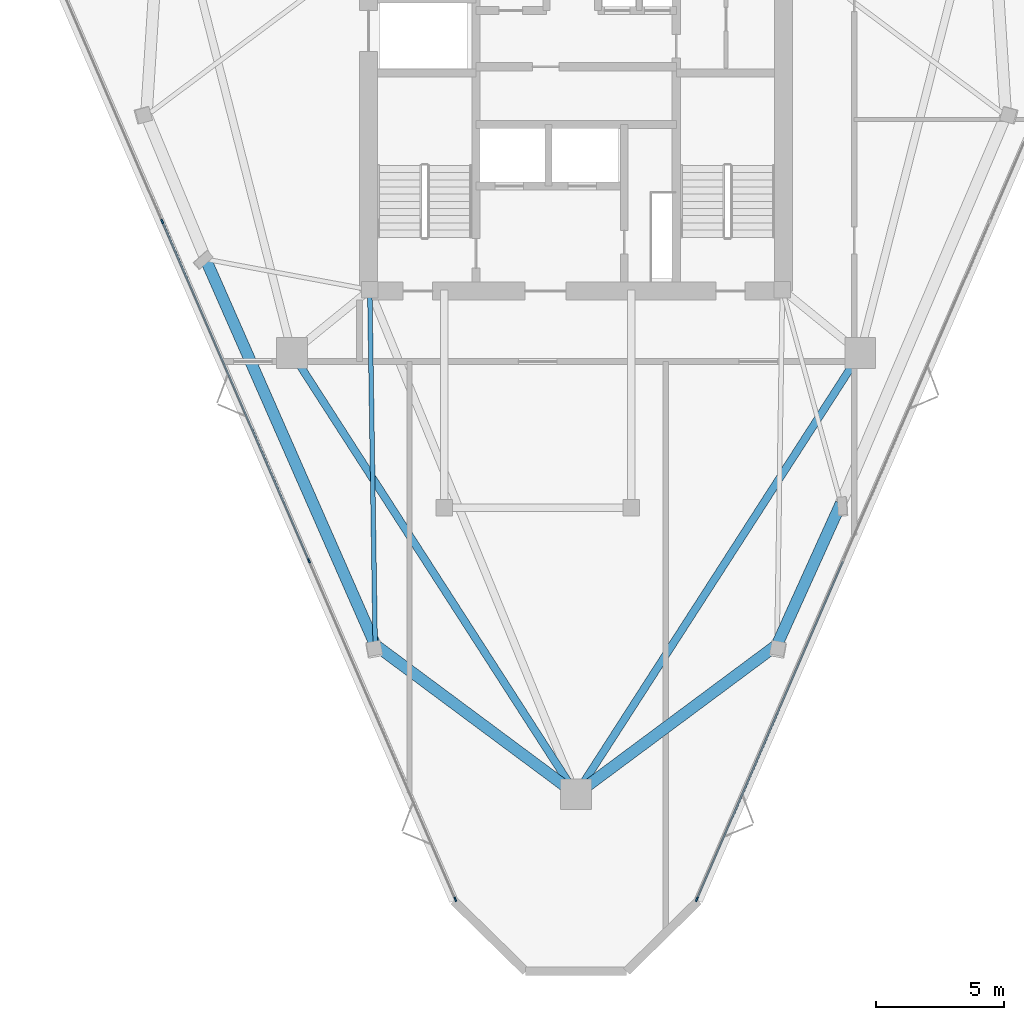
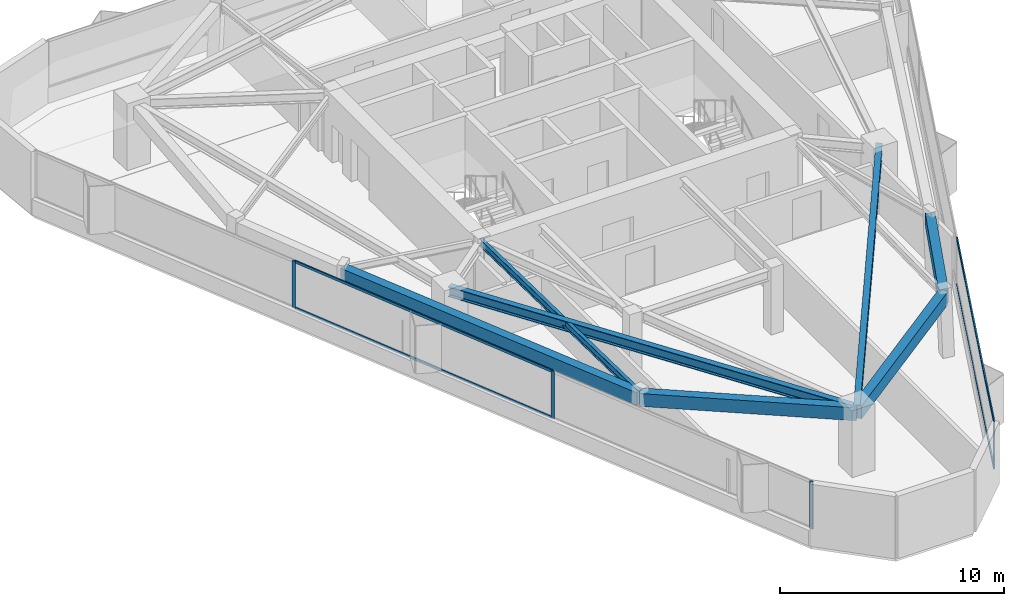
# One storey, part 2 of 12: 8 members, 7 beams, 2 elements without a shape of their own.
"""IFC4 building model written with IfcOpenShell, lengths in metres."""

import ifcopenshell
import ifcopenshell.guid

model = None  # the IFC model being written
_history = None  # IfcOwnerHistory: only IFC2X3 demands one
_inside = {}  # id of a spatial element -> (the spatial element, [elements in it])
_under = {}  # id of a project, library or spatial element -> (it, [spatial elements below it])
_declared = {}  # id of a project -> (the project, [libraries it declares])
_typed = {}  # id of a type object -> (the type object, [elements of that type])
_made_of = {}  # id of a material, layer set ... -> (it, [elements and type objects made of it])


def new_model(schema):
    """Start an empty IFC model of exactly this schema.

    Asked for "IFC4X3", IfcOpenShell would pick the latest addendum, in which some entities
    have other attributes; the version numbers below select the first issue.
    IFC2X3 requires an IfcOwnerHistory on every rooted entity: one is made here for all.
    """
    global model, _history
    if schema == "IFC4X3":
        model = ifcopenshell.file(schema_version=(4, 3, 0, 0))
    else:
        model = ifcopenshell.file(schema=schema)
    _inside.clear()
    _under.clear()
    _declared.clear()
    _typed.clear()
    _made_of.clear()
    _history = None
    if model.schema == "IFC2X3":
        org = make("IfcOrganization", Name="unknown")
        user = make(
            "IfcPersonAndOrganization",
            ThePerson=make("IfcPerson", FamilyName="unknown"),
            TheOrganization=org,
        )
        app = make(
            "IfcApplication",
            ApplicationDeveloper=org,
            Version="unknown",
            ApplicationFullName="unknown",
            ApplicationIdentifier="unknown",
        )
        _history = make(
            "IfcOwnerHistory",
            OwningUser=user,
            OwningApplication=app,
            ChangeAction="ADDED",
            CreationDate=0,
        )
    return model


def make(cls, **values):
    """One entity of the class cls with the attributes given. An attribute that is None is left unset."""
    return model.create_entity(
        cls, **{name: value for name, value in values.items() if value is not None}
    )


def rooted(cls, **values):
    """An entity with a GlobalId (a new one), such as an element, a storey or a relation."""
    return make(cls, GlobalId=ifcopenshell.guid.new(), OwnerHistory=_history, **values)


def si_unit(unit_type, name, prefix=None):
    """IfcSIUnit, for example si_unit("LENGTHUNIT", "METRE", prefix="MILLI")."""
    return make("IfcSIUnit", UnitType=unit_type, Prefix=prefix, Name=name)


def assignment(units):
    """IfcUnitAssignment: the units of a project."""
    return None if units is None else make("IfcUnitAssignment", Units=units)


def point(xyz):
    """IfcCartesianPoint."""
    return None if xyz is None else make("IfcCartesianPoint", Coordinates=xyz)


def direction(xyz):
    """IfcDirection."""
    return None if xyz is None else make("IfcDirection", DirectionRatios=xyz)


def frame(location, z_axis=None, x_axis=None):
    """IfcAxis2Placement3D, a coordinate frame: its origin and axes. An axis left out is left unset."""
    return make(
        "IfcAxis2Placement3D",
        Location=point(location),
        Axis=direction(z_axis),
        RefDirection=direction(x_axis),
    )


def frame_2d(location, x_axis=None):
    """IfcAxis2Placement2D, a coordinate frame in the plane: its origin and x axis."""
    return make(
        "IfcAxis2Placement2D", Location=point(location), RefDirection=direction(x_axis)
    )


def origin():
    """The frame at (0, 0, 0) with its axes left unset."""
    return frame((0.0, 0.0, 0.0))


def origin_2d():
    """The frame at (0, 0) in the plane with its x axis left unset."""
    return frame_2d((0.0, 0.0))


def place(relative_to, where):
    """IfcLocalPlacement: puts the frame where relative to a parent placement (None: the world)."""
    return make(
        "IfcLocalPlacement", PlacementRelTo=relative_to, RelativePlacement=where
    )


def context(
    kind, dimensions, precision=None, world=None, true_north=None, identifier=None
):
    """IfcGeometricRepresentationContext, for example the 3D "Model" context."""
    return make(
        "IfcGeometricRepresentationContext",
        ContextIdentifier=identifier,
        ContextType=kind,
        CoordinateSpaceDimension=dimensions,
        Precision=precision,
        WorldCoordinateSystem=world,
        TrueNorth=true_north,
    )


def subcontext(parent, identifier, kind, view, scale=None):
    """IfcGeometricRepresentationSubContext, for example "Body" below "Model"."""
    return make(
        "IfcGeometricRepresentationSubContext",
        ContextIdentifier=identifier,
        ContextType=kind,
        ParentContext=parent,
        TargetScale=scale,
        TargetView=view,
    )


def project(units=None, contexts=None):
    """IfcProject with its units and contexts."""
    return rooted(
        "IfcProject",
        Name="project",
        RepresentationContexts=contexts,
        UnitsInContext=assignment(units),
    )


def spatial(cls, under=None, at=None, **own):
    """A site, building, storey or space (cls), placed at a placement, below another one or the project."""
    s = rooted(cls, ObjectPlacement=at, **own)
    if under is not None:
        _under.setdefault(under.id(), (under, []))[1].append(s)
    return s


def profile(cls, at=None, kind="AREA", **sizes):
    """A parametric profile (cls). Its sizes go by their IFC names, for example OverallWidth=200.0."""
    return make(cls, ProfileType=kind, Position=at, **sizes)


def rectangle(**sizes):
    """IfcRectangleProfileDef."""
    return profile("IfcRectangleProfileDef", **sizes)


def i_section(**sizes):
    """IfcIShapeProfileDef."""
    return profile("IfcIShapeProfileDef", **sizes)


def extrude(swept, where, along, depth):
    """IfcExtrudedAreaSolid: the profile swept, set in the frame where, extruded along a direction by depth."""
    return make(
        "IfcExtrudedAreaSolid",
        SweptArea=swept,
        Position=where,
        ExtrudedDirection=direction(along),
        Depth=depth,
    )


def shape(context_of_items, identifier, shape_type, items):
    """IfcShapeRepresentation: the items that make up one representation, for example the "Body"."""
    return make(
        "IfcShapeRepresentation",
        ContextOfItems=context_of_items,
        RepresentationIdentifier=identifier,
        RepresentationType=shape_type,
        Items=items,
    )


def material(Name=None, Category=None):
    """IfcMaterial."""
    return make("IfcMaterial", Name=Name, Category=Category)


def layer(
    of_material, thickness, ventilated=None, Name=None, Category=None, Priority=None
):
    """IfcMaterialLayer: one layer of a wall or slab, of a material (None: an air gap)."""
    return make(
        "IfcMaterialLayer",
        Material=of_material,
        LayerThickness=thickness,
        IsVentilated=ventilated,
        Name=Name,
        Category=Category,
        Priority=Priority,
    )


def layer_set(layers, Name=None):
    """IfcMaterialLayerSet."""
    return make("IfcMaterialLayerSet", MaterialLayers=layers, LayerSetName=Name)


def material_profile(
    of_material, cross_section, Name=None, Category=None, Priority=None
):
    """IfcMaterialProfile: a cross section and its material."""
    return make(
        "IfcMaterialProfile",
        Name=Name,
        Material=of_material,
        Profile=cross_section,
        Priority=Priority,
        Category=Category,
    )


def profile_set(profiles, Name=None, composite=None):
    """IfcMaterialProfileSet."""
    return make(
        "IfcMaterialProfileSet",
        Name=Name,
        MaterialProfiles=profiles,
        CompositeProfile=composite,
    )


def made_of(thing, what):
    """Note that an element or type object is made of a material, layer set ...; save() writes the relation."""
    if what is not None:
        _made_of.setdefault(what.id(), (what, []))[1].append(thing)
    return thing


def type_object(cls, material=None, **own):
    """A type object (cls), such as IfcWallType, which elements share."""
    return made_of(rooted(cls, **own), material)


def element(
    cls,
    number,
    at=None,
    inside=None,
    cuts=None,
    type_object=None,
    material=None,
    context=None,
    identifier="Body",
    shape_type=None,
    held_by="IfcProductDefinitionShape",
    body=None,
    shapes=None,
    **own,
):
    """One element of the class cls, such as IfcWall. Its Tag is "e" and its number.

    at: its placement. inside: the storey or other place that contains it. cuts: it is an
    opening in that element (IfcRelVoidsElement). A single representation is given by context,
    identifier, shape_type and body (its items); several are given by shapes. held_by: the class
    of the entity that holds the representations. save() writes the other relations.
    """
    e = rooted(cls, Tag="e%d" % number, ObjectPlacement=at, **own)
    if body is not None:
        shapes = [shape(context, identifier, shape_type, body)]
    if shapes is not None:
        e.Representation = make(held_by, Representations=shapes)
    if inside is not None:
        _inside.setdefault(inside.id(), (inside, []))[1].append(e)
    if cuts is not None:
        rooted(
            "IfcRelVoidsElement", RelatingBuildingElement=cuts, RelatedOpeningElement=e
        )
    if type_object is not None:
        _typed.setdefault(type_object.id(), (type_object, []))[1].append(e)
    return made_of(e, material)


def aggregate(whole, parts):
    """IfcRelAggregates: a whole, such as a stair, and the parts it consists of."""
    return rooted("IfcRelAggregates", RelatingObject=whole, RelatedObjects=parts)


def save(model, path):
    """Write the relations noted so far, then the file.

    IfcRelAggregates (storeys below a building ...), IfcRelContainedInSpatialStructure (elements
    in a storey), IfcRelDefinesByType, IfcRelAssociatesMaterial and IfcRelDeclares: one each for
    every whole, place, type object, material and project.
    """
    for whole, parts in _under.values():
        aggregate(whole, parts)
    for where, things in _inside.values():
        rooted(
            "IfcRelContainedInSpatialStructure",
            RelatedElements=things,
            RelatingStructure=where,
        )
    for kind, things in _typed.values():
        rooted("IfcRelDefinesByType", RelatedObjects=things, RelatingType=kind)
    for what, things in _made_of.values():
        rooted("IfcRelAssociatesMaterial", RelatedObjects=things, RelatingMaterial=what)
    for by, libraries in _declared.values():
        rooted("IfcRelDeclares", RelatingContext=by, RelatedDefinitions=libraries)
    model.write(path)


model = new_model("IFC4")

# Units and contexts
model_context = context("Model", 3, precision=1e-05, world=origin(), true_north=direction((0.0, 1.0)))
body_context = subcontext(model_context, "Body", "Model", "MODEL_VIEW")
ifc_project = project(units=[si_unit("LENGTHUNIT", "METRE"), si_unit("AREAUNIT", "SQUARE_METRE"), si_unit("VOLUMEUNIT", "CUBIC_METRE"), si_unit("PLANEANGLEUNIT", "RADIAN"), si_unit("MASSUNIT", "GRAM", prefix="KILO")], contexts=[model_context])

# Site, building, storey
site_placement = place(None, origin())
site = spatial("IfcSite", under=ifc_project, at=site_placement, CompositionType="ELEMENT")
building_placement = place(site_placement, origin())
building = spatial("IfcBuilding", under=site, at=building_placement, Name="Talyreon Biosciences Tower", CompositionType="ELEMENT")
storey_placement = place(building_placement, frame((0.0, 0.0, 268.10009765625)))
storey = spatial("IfcBuildingStorey", under=building, at=storey_placement, Name="L71", CompositionType="ELEMENT", Elevation=268.10009765625)

# Curtain wall, members
ifc_material_1 = material(Name="Thermally broken aluminium and low-E glazing", Category="aluminium")
ifc_layer = layer(ifc_material_1, 0.175048828125)
ifc_layer_set = layer_set([ifc_layer], Name="Thermally broken aluminium and low-E glazing")
curtain_wall_type = type_object("IfcCurtainWallType", Name="CurtainWall_Zone5CompLab", PredefinedType="NOTDEFINED", material=ifc_layer_set)
curtain_wall_1_placement = place(storey_placement, origin())
curtain_wall_1 = element("IfcCurtainWall", 1, at=curtain_wall_1_placement, inside=storey, type_object=curtain_wall_type, Name="L71 Unitised Curtain Wall FCW-L71-00", PredefinedType="NOTDEFINED")
ifc_material_2 = material(Name="Anodised thermally broken aluminium", Category="aluminium")
ifc_material_profile_1 = material_profile(ifc_material_2, rectangle(XDim=0.06494140625, YDim=0.179931640625, at=origin_2d()), Name="ALUM MULLION 65x180")
ifc_profile_set_1 = profile_set([ifc_material_profile_1], Name="Anodised thermally broken aluminium")
member_type_1 = type_object("IfcMemberType", Name="CWMullion_65x180", PredefinedType="MULLION", material=ifc_profile_set_1)
member_1_placement = place(storey_placement, frame((61.28759765625, 37.566162109375, 0.809814453125), z_axis=(0.0, 0.0, 1.0), x_axis=(-0.917867616895, -0.396886681377, 0.0)))
member_1 = element("IfcMember", 2, at=member_1_placement, type_object=member_type_1, Name="CW6 mullion 1", PredefinedType="MULLION", context=body_context, shape_type="SweptSolid", body=[
    extrude(rectangle(XDim=0.06494140625, YDim=0.179931640625, at=origin_2d()), origin(), (0.0, 0.0, 1.0), 2.590087890625),
])
member_2_placement = place(storey_placement, frame((55.576171875, 50.77490234375, 0.809814453125), z_axis=(0.0, 0.0, 1.0), x_axis=(-0.917867616895, -0.396886681377, 0.0)))
member_2 = element("IfcMember", 3, at=member_2_placement, type_object=member_type_1, Name="CW6 mullion 2", PredefinedType="MULLION", context=body_context, shape_type="SweptSolid", body=[
    extrude(rectangle(XDim=0.06494140625, YDim=0.179931640625, at=origin_2d()), origin(), (0.0, 0.0, 1.0), 2.590087890625),
])
member_3_placement = place(storey_placement, frame((49.851806640625, 64.013427734375, 0.809814453125), z_axis=(0.0, 0.0, 1.0), x_axis=(-0.917867616895, -0.396886681377, 0.0)))
member_3 = element("IfcMember", 4, at=member_3_placement, type_object=member_type_1, Name="CW6 mullion 3", PredefinedType="MULLION", context=body_context, shape_type="SweptSolid", body=[
    extrude(rectangle(XDim=0.06494140625, YDim=0.179931640625, at=origin_2d()), origin(), (0.0, 0.0, 1.0), 2.590087890625),
])

# Curtain wall, member
curtain_wall_2_placement = place(storey_placement, origin())
curtain_wall_2 = element("IfcCurtainWall", 5, at=curtain_wall_2_placement, inside=storey, type_object=curtain_wall_type, Name="L71 Unitised Curtain Wall FCW-L71-08", PredefinedType="NOTDEFINED")
member_4_placement = place(storey_placement, frame((70.71240234375, 37.566162109375, 0.809814453125), z_axis=(0.0, 0.0, 1.0), x_axis=(0.917867616895, -0.396886681377, 0.0)))
member_4 = element("IfcMember", 6, at=member_4_placement, type_object=member_type_1, Name="CW6 mullion 4", PredefinedType="MULLION", context=body_context, shape_type="SweptSolid", body=[
    extrude(rectangle(XDim=0.06494140625, YDim=0.179931640625, at=origin_2d()), origin(), (0.0, 0.0, 1.0), 2.590087890625),
])

# Member
ifc_material_profile_2 = material_profile(ifc_material_2, rectangle(XDim=0.06494140625, YDim=0.139892578125, at=origin_2d()), Name="ALUM TRANSOM 65x140")
ifc_profile_set_2 = profile_set([ifc_material_profile_2], Name="Anodised thermally broken aluminium")
member_type_2 = type_object("IfcMemberType", Name="CWTransom_65x140", PredefinedType="USERDEFINED", material=ifc_profile_set_2)
member_5_placement = place(storey_placement, frame((55.563232421875, 50.8046875, 0.84228515625), z_axis=(-0.396880564948, 0.91787026162, 0.0), x_axis=(-0.91787026162, -0.396880564948, 0.0)))
member_5 = element("IfcMember", 7, at=member_5_placement, type_object=member_type_2, Name="CW6 transom 2.1", ObjectType="TRANSOM", PredefinedType="USERDEFINED", context=body_context, shape_type="SweptSolid", body=[
    extrude(rectangle(XDim=0.06494140625, YDim=0.139892578125, at=origin_2d()), origin(), (0.0, 0.0, 1.0), 14.358154296875),
])

member_6_placement = place(storey_placement, frame((55.563232421875, 50.8046875, 3.367431640625), z_axis=(-0.396880564948, 0.91787026162, 0.0), x_axis=(-0.91787026162, -0.396880564948, 0.0)))
member_6 = element("IfcMember", 8, at=member_6_placement, type_object=member_type_2, Name="CW6 transom 2.2", ObjectType="TRANSOM", PredefinedType="USERDEFINED", context=body_context, shape_type="SweptSolid", body=[
    extrude(rectangle(XDim=0.06494140625, YDim=0.139892578125, at=origin_2d()), origin(), (0.0, 0.0, 1.0), 14.358154296875),
])

aggregate(curtain_wall_1, [member_1, member_2, member_3, member_5, member_6])

member_7_placement = place(storey_placement, frame((76.410888671875, 50.7451171875, 0.84228515625), z_axis=(-0.396877003236, -0.917871801671, 0.0), x_axis=(0.917871801671, -0.396877003236, 0.0)))
member_7 = element("IfcMember", 9, at=member_7_placement, type_object=member_type_2, Name="CW6 transom 3.1", ObjectType="TRANSOM", PredefinedType="USERDEFINED", context=body_context, shape_type="SweptSolid", body=[
    extrude(rectangle(XDim=0.06494140625, YDim=0.139892578125, at=origin_2d()), origin(), (0.0, 0.0, 1.0), 14.32568359375),
])

member_8_placement = place(storey_placement, frame((76.410888671875, 50.7451171875, 3.367431640625), z_axis=(-0.396877003236, -0.917871801671, 0.0), x_axis=(0.917871801671, -0.396877003236, 0.0)))
member_8 = element("IfcMember", 10, at=member_8_placement, type_object=member_type_2, Name="CW6 transom 3.2", ObjectType="TRANSOM", PredefinedType="USERDEFINED", context=body_context, shape_type="SweptSolid", body=[
    extrude(rectangle(XDim=0.06494140625, YDim=0.139892578125, at=origin_2d()), origin(), (0.0, 0.0, 1.0), 14.32568359375),
])

aggregate(curtain_wall_2, [member_4, member_7, member_8])

# Beams
ifc_material_3 = material(Name="Precast concrete C45/55", Category="concrete")
ifc_material_profile_3 = material_profile(ifc_material_3, rectangle(XDim=0.449951171875, YDim=0.699951171875, at=origin_2d()), Name="RCB 450x700")
ifc_profile_set_3 = profile_set([ifc_material_profile_3], Name="Precast concrete C45/55")
beam_type_1 = type_object("IfcBeamType", Name="ExpressedSpandrel_450x700", PredefinedType="SPANDREL", material=ifc_profile_set_3)
beam_1_placement = place(storey_placement, frame((66.0, 41.6669921875, 3.0498046875), z_axis=(0.802608098357, 0.596506697742, 0.0), x_axis=(-0.596506697742, 0.802608098357, 0.0)))
element("IfcBeam", 11, at=beam_1_placement, inside=storey, type_object=beam_type_1, Name="L71 Expressed Horizontal Concrete Spandrel 01", PredefinedType="SPANDREL", context=body_context, shape_type="SweptSolid", body=[
    extrude(rectangle(XDim=0.449951171875, YDim=0.699951171875, at=origin_2d()), origin(), (0.0, 0.0, 1.0), 9.766845703125),
])
beam_2_placement = place(storey_placement, frame((73.8388671875, 47.492919921875, 3.0498046875), z_axis=(0.412007770995, 0.91118033157, 0.0), x_axis=(-0.91118033157, 0.412007770995, 0.0)))
element("IfcBeam", 12, at=beam_2_placement, inside=storey, type_object=beam_type_1, Name="L71 Expressed Horizontal Concrete Spandrel 02", PredefinedType="SPANDREL", context=body_context, shape_type="SweptSolid", body=[
    extrude(rectangle(XDim=0.449951171875, YDim=0.699951171875, at=origin_2d()), origin(), (0.0, 0.0, 1.0), 6.058349609375),
])
beam_3_placement = place(storey_placement, frame((51.54345703125, 62.545166015625, 3.0498046875), z_axis=(0.402467910585, -0.915434094268, 0.0), x_axis=(0.915434094268, 0.402467910585, 0.0)))
element("IfcBeam", 13, at=beam_3_placement, inside=storey, type_object=beam_type_1, Name="L71 Expressed Horizontal Concrete Spandrel 11", PredefinedType="SPANDREL", context=body_context, shape_type="SweptSolid", body=[
    extrude(rectangle(XDim=0.449951171875, YDim=0.699951171875, at=origin_2d()), origin(), (0.0, 0.0, 1.0), 16.442626953125),
])
beam_4_placement = place(storey_placement, frame((58.1611328125, 47.492919921875, 3.0498046875), z_axis=(0.802608098357, -0.596506697742, 0.0), x_axis=(0.596506697742, 0.802608098357, 0.0)))
element("IfcBeam", 14, at=beam_4_placement, inside=storey, type_object=beam_type_1, Name="L71 Expressed Horizontal Concrete Spandrel 12", PredefinedType="SPANDREL", context=body_context, shape_type="SweptSolid", body=[
    extrude(rectangle(XDim=0.449951171875, YDim=0.699951171875, at=origin_2d()), origin(), (0.0, 0.0, 1.0), 9.766845703125),
])
ifc_material_4 = material(Name="Steel SM355", Category="steel")
ifc_material_profile_4 = material_profile(ifc_material_4, i_section(OverallWidth=0.300048828125, OverallDepth=0.550048828125, WebThickness=0.014892578125, FlangeThickness=0.029052734375, FilletRadius=0.027099609375, at=origin_2d()), Name="HE550B")
ifc_profile_set_4 = profile_set([ifc_material_profile_4], Name="Steel SM355")
beam_type_2 = type_object("IfcBeamType", Name="SteelBeam_HE550B", PredefinedType="BEAM", material=ifc_profile_set_4)
for number, where, z_axis, x_axis, name in (
    (15, (66.0, 41.6669921875, 3.125), (0.541463723609, 0.840724114092, 0.0), (-0.840724114092, 0.541463723609, 0.0), "L71 Mega-Ring Girder 1"),
    (16, (54.913818359375, 58.88037109375, 3.125), (0.541463723609, -0.840724114092, 0.0), (0.840724114092, 0.541463723609, 0.0), "L71 Mega-Ring Girder 6"),
):
    element("IfcBeam", number, at=place(storey_placement, frame(where, z_axis=z_axis, x_axis=x_axis)), inside=storey, type_object=beam_type_2, Name=name, PredefinedType="BEAM", context=body_context, shape_type="SweptSolid", body=[
        extrude(i_section(OverallWidth=0.300048828125, OverallDepth=0.550048828125, WebThickness=0.014892578125, FlangeThickness=0.029052734375, FilletRadius=0.027099609375, at=origin_2d()), origin(), (0.0, 0.0, 1.0), 20.474365234375),
    ])
ifc_material_profile_5 = material_profile(ifc_material_4, i_section(OverallWidth=0.179931640625, OverallDepth=0.39990234375, WebThickness=0.008544921875, FlangeThickness=0.013427734375, FilletRadius=0.02099609375, at=origin_2d()), Name="IPE400")
ifc_profile_set_5 = profile_set([ifc_material_profile_5], Name="Steel SM355")
beam_type_3 = type_object("IfcBeamType", Name="SteelJoist_IPE400", PredefinedType="JOIST", material=ifc_profile_set_5)
beam_5_placement = place(storey_placement, frame((57.949951171875, 61.35009765625, 3.199951171875), z_axis=(0.015238104402, -0.999883893347, 0.0), x_axis=(0.999883893347, 0.015238104402, 0.0)))
element("IfcBeam", 17, at=beam_5_placement, inside=storey, type_object=beam_type_3, Name="L71 Radial Composite Floor Joist PC-SW2", PredefinedType="JOIST", context=body_context, shape_type="SweptSolid", body=[
    extrude(i_section(OverallWidth=0.179931640625, OverallDepth=0.39990234375, WebThickness=0.008544921875, FlangeThickness=0.013427734375, FilletRadius=0.02099609375, at=origin_2d()), origin(), (0.0, 0.0, 1.0), 13.85888671875),
])

save(model, "model.ifc")
